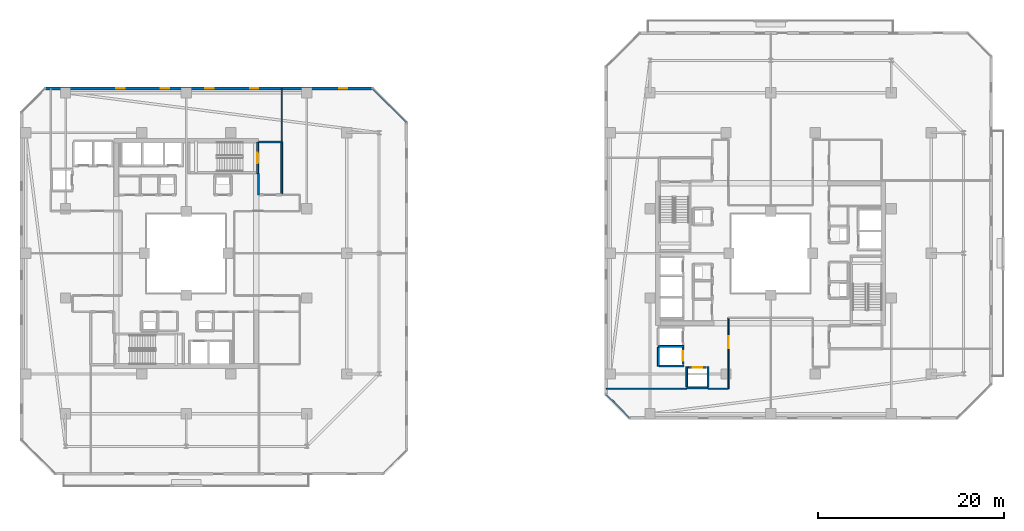
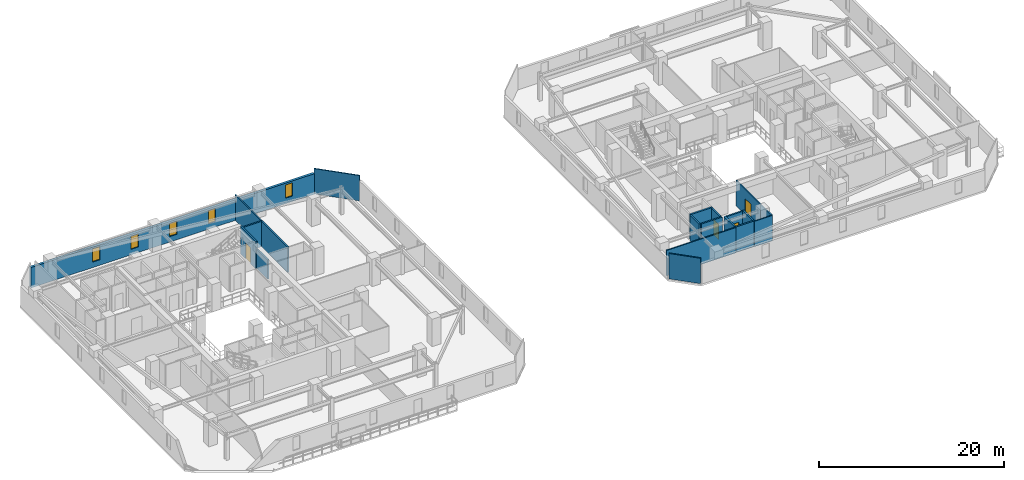
# One storey, part 22 of 32: 20 walls, 5 windows, 4 doors, 9 openings.
"""IFC4 building model written with IfcOpenShell, lengths in metres."""

from ifc_helpers import new_model, si_unit, direction, frame, frame_2d, origin, place, context, subcontext, project, spatial, rectangle, extrude, material, layer, layer_set, type_object, element, fill, save


model = new_model("IFC4")

# Units and contexts
model_context = context("Model", 3, precision=1e-05, world=origin(), true_north=direction((0.0, 1.0)))
body_context = subcontext(model_context, "Body", "Model", "MODEL_VIEW")
ifc_project = project(units=[si_unit("LENGTHUNIT", "METRE"), si_unit("AREAUNIT", "SQUARE_METRE"), si_unit("VOLUMEUNIT", "CUBIC_METRE"), si_unit("PLANEANGLEUNIT", "RADIAN"), si_unit("MASSUNIT", "GRAM", prefix="KILO")], contexts=[model_context])

# Site, building, storey
site_placement = place(None, origin())
site = spatial("IfcSite", under=ifc_project, at=site_placement, CompositionType="ELEMENT")
building_placement = place(site_placement, origin())
building = spatial("IfcBuilding", under=site, at=building_placement, Name="Thornwick Lancets Civic Towers", CompositionType="ELEMENT")
storey_placement = place(building_placement, frame((0.0, 0.0, 156.300048828125)))
storey = spatial("IfcBuildingStorey", under=building, at=storey_placement, Name="L41", CompositionType="ELEMENT", Elevation=156.300048828125)

# Wall, opening, door
ifc_material_1 = material(Name="Concrete blockwork C40/50", Category="masonry")
ifc_layer_1 = layer(ifc_material_1, 0.199951171875, Name="Concrete blockwork C40/50")
ifc_layer_set_1 = layer_set([ifc_layer_1], Name="Concrete blockwork C40/50")
wall_type_1 = type_object("IfcWallType", Name="WALL_COMP_200", PredefinedType="STANDARD", material=ifc_layer_set_1)
wall_1_placement = place(storey_placement, frame((79.050048828125, 15.030029296875, 0.0), z_axis=(0.0, 0.0, 1.0), x_axis=(0.0, 1.0, 0.0)))
wall_1 = element("IfcWall", 1, at=wall_1_placement, inside=storey, type_object=wall_type_1, Name="L41 Hoistway Front Wall PL-BM2", PredefinedType="STANDARD", context=body_context, shape_type="SweptSolid", body=[
    extrude(rectangle(XDim=1.7900390625, YDim=0.199951171875, at=frame_2d((0.89501953125, 0.0))), origin(), (0.0, 0.0, 1.0), 3.33984375),
])
opening_1_placement = place(wall_1_placement, frame((0.385009765625, 0.0, 0.0)))
opening_1 = element("IfcOpeningElement", 2, at=opening_1_placement, cuts=wall_1, Name="Opening LD-PL-BM2", PredefinedType="OPENING", context=body_context, shape_type="SweptSolid", body=[
    extrude(rectangle(XDim=1.02001953125, YDim=2.06005859375, at=frame_2d((0.510009765625, 1.030029296875))), frame((0.0, 0.10986328125, 0.0), z_axis=(0.0, -1.0, 0.0), x_axis=(1.0, 0.0, 0.0)), (0.0, 0.0, 1.0), 0.219970703125),
])
ifc_material_2 = material(Name="Brushed bronze stainless steel", Category="steel")
door_type_1 = type_object("IfcDoorType", Name="DOOR_LIFT_SLIDE", OperationType="SLIDING_TO_LEFT", PredefinedType="DOOR", material=ifc_material_2)
door_1_placement = place(opening_1_placement, origin())
door_1 = element("IfcDoor", 3, at=door_1_placement, inside=storey, type_object=door_type_1, Name="L41 Sliding Lift Landing Door LD-PL-BM2", OperationType="SLIDING_TO_LEFT", OverallHeight=2.06005859375, OverallWidth=1.02001953125, PredefinedType="DOOR", context=body_context, shape_type="SweptSolid", body=[
    extrude(rectangle(XDim=1.02001953125, YDim=2.06005859375, at=frame_2d((0.510009765625, 1.030029296875))), frame((0.0, 0.02490234375, 0.0), z_axis=(0.0, -1.0, 0.0), x_axis=(1.0, 0.0, 0.0)), (0.0, 0.0, 1.0), 0.050048828125),
])
fill(opening_1, door_1)

wall_2_placement = place(storey_placement, frame((79.6298828125, 14.699951171875, 0.0), z_axis=(0.0, 0.0, 1.0), x_axis=(1.0, 0.0, 0.0)))
wall_2 = element("IfcWall", 4, at=wall_2_placement, inside=storey, type_object=wall_type_1, Name="L41 Hoistway Front Wall PL-BM3", PredefinedType="STANDARD", context=body_context, shape_type="SweptSolid", body=[
    extrude(rectangle(XDim=1.940185546875, YDim=0.199951171875, at=frame_2d((0.97021484375, 0.0))), origin(), (0.0, 0.0, 1.0), 3.33984375),
])
opening_2_placement = place(wall_2_placement, frame((0.4599609375, 0.0, 0.0)))
opening_2 = element("IfcOpeningElement", 5, at=opening_2_placement, cuts=wall_2, Name="Opening LD-PL-BM3", PredefinedType="OPENING", context=body_context, shape_type="SweptSolid", body=[
    extrude(rectangle(XDim=1.02001953125, YDim=2.06005859375, at=frame_2d((0.510009765625, 1.030029296875))), frame((0.0, 0.10986328125, 0.0), z_axis=(0.0, -1.0, 0.0), x_axis=(1.0, 0.0, 0.0)), (0.0, 0.0, 1.0), 0.219970703125),
])
door_2_placement = place(opening_2_placement, origin())
door_2 = element("IfcDoor", 6, at=door_2_placement, inside=storey, type_object=door_type_1, Name="L41 Sliding Lift Landing Door LD-PL-BM3", OperationType="SLIDING_TO_LEFT", OverallHeight=2.06005859375, OverallWidth=1.02001953125, PredefinedType="DOOR", context=body_context, shape_type="SweptSolid", body=[
    extrude(rectangle(XDim=1.02001953125, YDim=2.06005859375, at=frame_2d((0.510009765625, 1.030029296875))), frame((0.0, 0.02490234375, 0.0), z_axis=(0.0, -1.0, 0.0), x_axis=(1.0, 0.0, 0.0)), (0.0, 0.0, 1.0), 0.050048828125),
])
fill(opening_2, door_2)

# Walls
wall_3_placement = place(storey_placement, frame((76.402099609375, 16.97509765625, 0.0), z_axis=(0.0, 0.0, 1.0), x_axis=(1.0, 0.0, 0.0)))
element("IfcWall", 7, at=wall_3_placement, inside=storey, type_object=wall_type_1, Name="L41 Hoistway Shaft Wall PL-BM1 S", PredefinedType="STANDARD", context=body_context, shape_type="SweptSolid", body=[
    extrude(rectangle(XDim=2.745849609375, YDim=0.199951171875, at=frame_2d((1.373046875, 0.0))), origin(), (0.0, 0.0, 1.0), 3.33984375),
])
wall_4_placement = place(storey_placement, frame((76.39990234375, 14.85205078125, 0.0), z_axis=(0.0, 0.0, 1.0), x_axis=(0.0, 1.0, 0.0)))
element("IfcWall", 8, at=wall_4_placement, inside=storey, type_object=wall_type_1, Name="L41 Hoistway Shaft Wall PL-BM1 W", PredefinedType="STANDARD", context=body_context, shape_type="SweptSolid", body=[
    extrude(rectangle(XDim=2.015869140625, YDim=0.199951171875, at=frame_2d((1.0078125, 0.0))), origin(), (0.0, 0.0, 1.0), 3.33984375),
])
wall_5_placement = place(storey_placement, frame((76.511962890625, 14.85009765625, 0.0), z_axis=(0.0, 0.0, 1.0), x_axis=(1.0, 0.0, 0.0)))
element("IfcWall", 9, at=wall_5_placement, inside=storey, type_object=wall_type_1, Name="L41 Hoistway Shaft Wall PL-BM2 S", PredefinedType="STANDARD", context=body_context, shape_type="SweptSolid", body=[
    extrude(rectangle(XDim=2.635986328125, YDim=0.199951171875, at=frame_2d((1.31787109375, 0.0))), origin(), (0.0, 0.0, 1.0), 3.33984375),
])
wall_6_placement = place(storey_placement, frame((79.451904296875, 12.5, 0.0), z_axis=(0.0, 0.0, 1.0), x_axis=(1.0, 0.0, 0.0)))
element("IfcWall", 10, at=wall_6_placement, inside=storey, type_object=wall_type_1, Name="L41 Hoistway Shaft Wall PL-BM3 S", PredefinedType="STANDARD", context=body_context, shape_type="SweptSolid", body=[
    extrude(rectangle(XDim=2.296142578125, YDim=0.199951171875, at=frame_2d((1.14794921875, 0.0))), origin(), (0.0, 0.0, 1.0), 3.33984375),
])
for number, where, z_axis, x_axis, name in (
    (11, (81.75, 12.612060546875, 0.0), (0.0, 0.0, 1.0), (0.0, 1.0, 0.0), "L41 Hoistway Shaft Wall PL-BM3 E"),
    (12, (79.449951171875, 12.612060546875, 0.0), (0.0, 0.0, 1.0), (0.0, 1.0, 0.0), "L41 Hoistway Shaft Wall PL-BM3 W"),
):
    element("IfcWall", number, at=place(storey_placement, frame(where, z_axis=z_axis, x_axis=x_axis)), inside=storey, type_object=wall_type_1, Name=name, PredefinedType="STANDARD", context=body_context, shape_type="SweptSolid", body=[
        extrude(rectangle(XDim=2.18603515625, YDim=0.199951171875, at=frame_2d((1.093017578125, 0.0))), origin(), (0.0, 0.0, 1.0), 3.33984375),
    ])
wall_7_placement = place(storey_placement, frame((35.800048828125, 33.300048828125, 0.0), z_axis=(0.0, 0.0, 1.0), x_axis=(0.0, 1.0, 0.0)))
element("IfcWall", 13, at=wall_7_placement, inside=storey, type_object=wall_type_1, Name="L41 Partition L41-A-FFLOB2 E2", PredefinedType="STANDARD", context=body_context, shape_type="SweptSolid", body=[
    extrude(rectangle(XDim=5.699951171875, YDim=0.199951171875, at=frame_2d((2.85009765625, 0.0))), origin(), (0.0, 0.0, 1.0), 3.33984375),
])
wall_8_placement = place(storey_placement, frame((35.800048828125, 39.0, 0.0), z_axis=(0.0, 0.0, 1.0), x_axis=(-1.0, 0.0, 0.0)))
element("IfcWall", 14, at=wall_8_placement, inside=storey, type_object=wall_type_1, Name="L41 Partition L41-A-FFLOB2 E3", PredefinedType="STANDARD", context=body_context, shape_type="SweptSolid", body=[
    extrude(rectangle(XDim=2.5, YDim=0.199951171875, at=frame_2d((1.25, 0.0))), origin(), (0.0, 0.0, 1.0), 3.33984375),
])
wall_9_placement = place(storey_placement, frame((33.300048828125, 35.60009765625, 0.0), z_axis=(0.0, 0.0, 1.0), x_axis=(0.0, -1.0, 0.0)))
element("IfcWall", 15, at=wall_9_placement, inside=storey, type_object=wall_type_1, Name="L41 Partition L41-A-FFLOB2 E4", PredefinedType="STANDARD", context=body_context, shape_type="SweptSolid", body=[
    extrude(rectangle(XDim=2.300048828125, YDim=0.199951171875, at=frame_2d((1.14990234375, 0.0))), origin(), (0.0, 0.0, 1.0), 2.544921875),
])

# Wall, openings, windows
ifc_material_3 = material(Name="Insulated russet terracotta rainscreen on concrete C40/50", Category="masonry")
ifc_layer_2 = layer(ifc_material_3, 0.300048828125, Name="Insulated russet terracotta rainscreen on concrete C40/50")
ifc_layer_set_2 = layer_set([ifc_layer_2], Name="Insulated russet terracotta rainscreen on concrete C40/50")
wall_type_2 = type_object("IfcWallType", Name="WALL_EXT_RUSSET_300", PredefinedType="STANDARD", material=ifc_layer_set_2)
wall_10_placement = place(storey_placement, frame((45.57763671875, 44.760986328125, 0.0), z_axis=(0.0, 0.0, 1.0), x_axis=(-0.999999994606, 0.000103863011, 0.0)))
wall_10 = element("IfcWall", 16, at=wall_10_placement, inside=storey, type_object=wall_type_2, Name="L41 Tower A Terracotta Facade Wall E4", PredefinedType="STANDARD", context=body_context, shape_type="SweptSolid", body=[
    extrude(rectangle(XDim=35.259033203125, YDim=0.300048828125, at=frame_2d((17.62939453125, 0.0))), origin(), (0.0, 0.0, 1.0), 2.699951171875),
])
opening_3_placement = place(wall_10_placement, frame((2.699951171875, 0.0, 0.719970703125)))
opening_3 = element("IfcOpeningElement", 17, at=opening_3_placement, cuts=wall_10, Name="Opening WL-01", PredefinedType="OPENING", context=body_context, shape_type="SweptSolid", body=[
    extrude(rectangle(XDim=0.89990234375, YDim=1.75, at=frame_2d((0.449951171875, 0.875))), frame((0.0, 0.16015625, 0.0), z_axis=(0.0, -1.0, 0.0), x_axis=(1.0, 0.0, 0.0)), (0.0, 0.0, 1.0), 0.320068359375),
])
opening_4_placement = place(wall_10_placement, frame((12.300048828125, 0.0, 0.719970703125)))
opening_4 = element("IfcOpeningElement", 18, at=opening_4_placement, cuts=wall_10, Name="Opening WL-01", PredefinedType="OPENING", context=body_context, shape_type="SweptSolid", body=[
    extrude(rectangle(XDim=0.89990234375, YDim=1.75, at=frame_2d((0.449951171875, 0.875))), frame((0.0, 0.16015625, 0.0), z_axis=(0.0, -1.0, 0.0), x_axis=(1.0, 0.0, 0.0)), (0.0, 0.0, 1.0), 0.320068359375),
])
opening_5_placement = place(wall_10_placement, frame((17.10009765625, 0.0, 0.719970703125)))
opening_5 = element("IfcOpeningElement", 19, at=opening_5_placement, cuts=wall_10, Name="Opening WL-01", PredefinedType="OPENING", context=body_context, shape_type="SweptSolid", body=[
    extrude(rectangle(XDim=0.89990234375, YDim=1.75, at=frame_2d((0.449951171875, 0.875))), frame((0.0, 0.16015625, 0.0), z_axis=(0.0, -1.0, 0.0), x_axis=(1.0, 0.0, 0.0)), (0.0, 0.0, 1.0), 0.320068359375),
])
opening_6_placement = place(wall_10_placement, frame((21.89990234375, 0.0, 0.719970703125)))
opening_6 = element("IfcOpeningElement", 20, at=opening_6_placement, cuts=wall_10, Name="Opening WL-01", PredefinedType="OPENING", context=body_context, shape_type="SweptSolid", body=[
    extrude(rectangle(XDim=0.89990234375, YDim=1.75, at=frame_2d((0.449951171875, 0.875))), frame((0.0, 0.16015625, 0.0), z_axis=(0.0, -1.0, 0.0), x_axis=(1.0, 0.0, 0.0)), (0.0, 0.0, 1.0), 0.320068359375),
])
opening_7_placement = place(wall_10_placement, frame((26.699951171875, 0.0, 0.719970703125)))
opening_7 = element("IfcOpeningElement", 21, at=opening_7_placement, cuts=wall_10, Name="Opening WL-01", PredefinedType="OPENING", context=body_context, shape_type="SweptSolid", body=[
    extrude(rectangle(XDim=0.89990234375, YDim=1.75, at=frame_2d((0.449951171875, 0.875))), frame((0.0, 0.16015625, 0.0), z_axis=(0.0, -1.0, 0.0), x_axis=(1.0, 0.0, 0.0)), (0.0, 0.0, 1.0), 0.320068359375),
])
ifc_material_4 = material(Name="Clear low-e double glazing in bronze frame", Category="glass")
window_type = type_object("IfcWindowType", Name="WIN_LANCET_900", PartitioningType="SINGLE_PANEL", PredefinedType="WINDOW", material=ifc_material_4)
window_1_placement = place(opening_3_placement, origin())
window_1 = element("IfcWindow", 22, at=window_1_placement, inside=storey, type_object=window_type, Name="L41 Tower A Staggered Lancet Window E4-1", OverallHeight=1.75, OverallWidth=0.89990234375, PartitioningType="SINGLE_PANEL", PredefinedType="WINDOW", context=body_context, shape_type="SweptSolid", body=[
    extrude(rectangle(XDim=0.89990234375, YDim=1.75, at=frame_2d((0.449951171875, 0.875))), frame((0.0, 0.030029296875, 0.0), z_axis=(0.0, -1.0, 0.0), x_axis=(1.0, 0.0, 0.0)), (0.0, 0.0, 1.0), 0.06005859375),
])
fill(opening_3, window_1)
window_2_placement = place(opening_4_placement, origin())
window_2 = element("IfcWindow", 23, at=window_2_placement, inside=storey, type_object=window_type, Name="L41 Tower A Staggered Lancet Window E4-2", OverallHeight=1.75, OverallWidth=0.89990234375, PartitioningType="SINGLE_PANEL", PredefinedType="WINDOW", context=body_context, shape_type="SweptSolid", body=[
    extrude(rectangle(XDim=0.89990234375, YDim=1.75, at=frame_2d((0.449951171875, 0.875))), frame((0.0, 0.030029296875, 0.0), z_axis=(0.0, -1.0, 0.0), x_axis=(1.0, 0.0, 0.0)), (0.0, 0.0, 1.0), 0.06005859375),
])
fill(opening_4, window_2)
window_3_placement = place(opening_5_placement, origin())
window_3 = element("IfcWindow", 24, at=window_3_placement, inside=storey, type_object=window_type, Name="L41 Tower A Staggered Lancet Window E4-3", OverallHeight=1.75, OverallWidth=0.89990234375, PartitioningType="SINGLE_PANEL", PredefinedType="WINDOW", context=body_context, shape_type="SweptSolid", body=[
    extrude(rectangle(XDim=0.89990234375, YDim=1.75, at=frame_2d((0.449951171875, 0.875))), frame((0.0, 0.030029296875, 0.0), z_axis=(0.0, -1.0, 0.0), x_axis=(1.0, 0.0, 0.0)), (0.0, 0.0, 1.0), 0.06005859375),
])
fill(opening_5, window_3)
window_4_placement = place(opening_6_placement, origin())
window_4 = element("IfcWindow", 25, at=window_4_placement, inside=storey, type_object=window_type, Name="L41 Tower A Staggered Lancet Window E4-4", OverallHeight=1.75, OverallWidth=0.89990234375, PartitioningType="SINGLE_PANEL", PredefinedType="WINDOW", context=body_context, shape_type="SweptSolid", body=[
    extrude(rectangle(XDim=0.89990234375, YDim=1.75, at=frame_2d((0.449951171875, 0.875))), frame((0.0, 0.030029296875, 0.0), z_axis=(0.0, -1.0, 0.0), x_axis=(1.0, 0.0, 0.0)), (0.0, 0.0, 1.0), 0.06005859375),
])
fill(opening_6, window_4)
window_5_placement = place(opening_7_placement, origin())
window_5 = element("IfcWindow", 26, at=window_5_placement, inside=storey, type_object=window_type, Name="L41 Tower A Staggered Lancet Window E4-5", OverallHeight=1.75, OverallWidth=0.89990234375, PartitioningType="SINGLE_PANEL", PredefinedType="WINDOW", context=body_context, shape_type="SweptSolid", body=[
    extrude(rectangle(XDim=0.89990234375, YDim=1.75, at=frame_2d((0.449951171875, 0.875))), frame((0.0, 0.030029296875, 0.0), z_axis=(0.0, -1.0, 0.0), x_axis=(1.0, 0.0, 0.0)), (0.0, 0.0, 1.0), 0.06005859375),
])
fill(opening_7, window_5)

# Walls
ifc_material_5 = material(Name="Acoustic gypsum board partition")
ifc_layer_3 = layer(ifc_material_5, 0.1201171875, Name="Acoustic gypsum board partition")
ifc_layer_set_3 = layer_set([ifc_layer_3], Name="Acoustic gypsum board partition")
wall_type_3 = type_object("IfcWallType", Name="WALL_PART_120", PredefinedType="PARTITIONING", material=ifc_layer_set_3)
wall_11_placement = place(storey_placement, frame((35.800048828125, 39.0, 0.0), z_axis=(0.0, 0.0, 1.0), x_axis=(0.0, 1.0, 0.0)))
element("IfcWall", 27, at=wall_11_placement, inside=storey, type_object=wall_type_3, Name="L41 Partition L41-A-E3 E6", PredefinedType="PARTITIONING", context=body_context, shape_type="SweptSolid", body=[
    extrude(rectangle(XDim=5.719970703125, YDim=0.1201171875, at=frame_2d((2.85986328125, 0.0))), origin(), (0.0, 0.0, 1.0), 3.33984375),
])
wall_12_placement = place(storey_placement, frame((45.617431640625, 44.719970703125, 0.0), z_axis=(0.0, 0.0, 1.0), x_axis=(0.707106781187, -0.707106781187, 0.0)))
element("IfcWall", 28, at=wall_12_placement, inside=storey, type_object=wall_type_3, Name="L41 Partition L41-A-E3 E8", PredefinedType="PARTITIONING", context=body_context, shape_type="SweptSolid", body=[
    extrude(rectangle(XDim=5.0947265625, YDim=0.1201171875, at=frame_2d((2.54736328125, 0.0))), origin(), (0.0, 0.0, 1.0), 3.33984375),
])

# Wall, opening, door
ifc_material_6 = material(Name="Twin-stud acoustic gypsum board")
ifc_layer_4 = layer(ifc_material_6, 0.14990234375, Name="Twin-stud acoustic gypsum board")
ifc_layer_set_4 = layer_set([ifc_layer_4], Name="Twin-stud acoustic gypsum board")
wall_type_4 = type_object("IfcWallType", Name="WALL_PART_150", PredefinedType="PARTITIONING", material=ifc_layer_set_4)
wall_13_placement = place(storey_placement, frame((83.949951171875, 14.75, 0.0), z_axis=(0.0, 0.0, 1.0), x_axis=(0.0, 1.0, 0.0)))
wall_13 = element("IfcWall", 29, at=wall_13_placement, inside=storey, type_object=wall_type_4, Name="L41 Partition L41-B-W2 E1", PredefinedType="PARTITIONING", context=body_context, shape_type="SweptSolid", body=[
    extrude(rectangle(XDim=5.300048828125, YDim=0.14990234375, at=frame_2d((2.64990234375, 0.0))), origin(), (0.0, 0.0, 1.0), 3.33984375),
])
opening_8_placement = place(wall_13_placement, frame((2.0, 0.0, 0.0)))
opening_8 = element("IfcOpeningElement", 30, at=opening_8_placement, cuts=wall_13, Name="Opening D-L41-1858", PredefinedType="OPENING", context=body_context, shape_type="SweptSolid", body=[
    extrude(rectangle(XDim=1.300048828125, YDim=2.1201171875, at=frame_2d((0.64990234375, 1.06005859375))), frame((0.0, 0.0849609375, 0.0), z_axis=(0.0, -1.0, 0.0), x_axis=(1.0, 0.0, 0.0)), (0.0, 0.0, 1.0), 0.169921875),
])
ifc_material_7 = material(Name="Acoustic oak leaf-and-a-half doorset")
door_type_2 = type_object("IfcDoorType", Name="DOOR_MEET_1300", OperationType="DOUBLE_DOOR_SINGLE_SWING", PredefinedType="DOOR", material=ifc_material_7)
door_3_placement = place(opening_8_placement, origin())
door_3 = element("IfcDoor", 31, at=door_3_placement, inside=storey, type_object=door_type_2, Name="L41 Tower B Policy Briefing Room W2 Door", OperationType="DOUBLE_DOOR_SINGLE_SWING", OverallHeight=2.1201171875, OverallWidth=1.300048828125, PredefinedType="DOOR", context=body_context, shape_type="SweptSolid", body=[
    extrude(rectangle(XDim=1.300048828125, YDim=2.1201171875, at=frame_2d((0.64990234375, 1.06005859375))), frame((0.0, 0.02490234375, 0.0), z_axis=(0.0, -1.0, 0.0), x_axis=(1.0, 0.0, 0.0)), (0.0, 0.0, 1.0), 0.050048828125),
])
fill(opening_8, door_3)

# Walls
wall_14_placement = place(storey_placement, frame((73.274658203125, 9.280029296875, 0.0), z_axis=(0.0, 0.0, 1.0), x_axis=(-0.707106781187, 0.707106781187, 0.0)))
element("IfcWall", 32, at=wall_14_placement, inside=storey, type_object=wall_type_4, Name="L41 Partition L41-B-W2 E5", PredefinedType="PARTITIONING", context=body_context, shape_type="SweptSolid", body=[
    extrude(rectangle(XDim=3.52783203125, YDim=0.14990234375, at=frame_2d((1.763916015625, 0.0))), origin(), (0.0, 0.0, 1.0), 3.33984375),
])
wall_15_placement = place(storey_placement, frame((70.780029296875, 12.39990234375, 0.0), z_axis=(0.0, 0.0, 1.0), x_axis=(1.0, 0.0, 0.0)))
element("IfcWall", 33, at=wall_15_placement, inside=storey, type_object=wall_type_4, Name="L41 Partition L41-B-W2 E7", PredefinedType="PARTITIONING", context=body_context, shape_type="SweptSolid", body=[
    extrude(rectangle(XDim=8.671875, YDim=0.14990234375, at=frame_2d((4.3359375, 0.0))), origin(), (0.0, 0.0, 1.0), 3.33984375),
])
wall_16_placement = place(storey_placement, frame((81.748046875, 12.39990234375, 0.0), z_axis=(0.0, 0.0, 1.0), x_axis=(1.0, 0.0, 0.0)))
element("IfcWall", 34, at=wall_16_placement, inside=storey, type_object=wall_type_4, Name="L41 Partition L41-B-W2 E7", PredefinedType="PARTITIONING", context=body_context, shape_type="SweptSolid", body=[
    extrude(rectangle(XDim=2.201904296875, YDim=0.14990234375, at=frame_2d((1.10107421875, 0.0))), origin(), (0.0, 0.0, 1.0), 3.33984375),
])
wall_17_placement = place(storey_placement, frame((83.949951171875, 12.39990234375, 0.0), z_axis=(0.0, 0.0, 1.0), x_axis=(0.0, 1.0, 0.0)))
element("IfcWall", 35, at=wall_17_placement, inside=storey, type_object=wall_type_4, Name="L41 Partition L41-B-W2 E8", PredefinedType="PARTITIONING", context=body_context, shape_type="SweptSolid", body=[
    extrude(rectangle(XDim=2.35009765625, YDim=0.14990234375, at=frame_2d((1.175048828125, 0.0))), origin(), (0.0, 0.0, 1.0), 3.33984375),
])

# Wall, opening, door
ifc_material_8 = material(Name="Concrete C40/50", Category="concrete")
ifc_layer_5 = layer(ifc_material_8, 0.199951171875, Name="Concrete C40/50")
ifc_layer_set_5 = layer_set([ifc_layer_5], Name="Concrete C40/50")
wall_type_5 = type_object("IfcWallType", Name="WALL_SHAFT_200", PredefinedType="SHEAR", material=ifc_layer_set_5)
wall_18_placement = place(storey_placement, frame((33.199951171875, 38.949951171875, 0.0), z_axis=(0.0, 0.0, 1.0), x_axis=(0.0, -1.0, 0.0)))
wall_18 = element("IfcWall", 36, at=wall_18_placement, inside=storey, type_object=wall_type_5, Name="L41 ST-A2 Fire Stair Core Wall NEAR", PredefinedType="SHEAR", context=body_context, shape_type="SweptSolid", body=[
    extrude(rectangle(XDim=3.349853515625, YDim=0.199951171875, at=frame_2d((1.6748046875, 0.0))), origin(), (0.0, 0.0, 1.0), 3.599853515625),
])
opening_9_placement = place(wall_18_placement, frame((1.125, 0.0, 0.0)))
opening_9 = element("IfcOpeningElement", 37, at=opening_9_placement, cuts=wall_18, Name="Opening D-ST-A2-L41", PredefinedType="OPENING", context=body_context, shape_type="SweptSolid", body=[
    extrude(rectangle(XDim=1.10009765625, YDim=2.10009765625, at=frame_2d((0.550048828125, 1.050048828125))), frame((0.0, 0.10986328125, 0.0), z_axis=(0.0, -1.0, 0.0), x_axis=(1.0, 0.0, 0.0)), (0.0, 0.0, 1.0), 0.219970703125),
])
ifc_material_9 = material(Name="Fire-resisting steel and hardwood", Category="steel")
door_type_3 = type_object("IfcDoorType", Name="DOOR_STAIR_FD60", OperationType="NOTDEFINED", PredefinedType="DOOR", material=ifc_material_9)
door_4_placement = place(opening_9_placement, origin())
door_4 = element("IfcDoor", 38, at=door_4_placement, inside=storey, type_object=door_type_3, Name="L41 ST-A2 Exit Stair Door", OperationType="SINGLE_SWING_LEFT", OverallHeight=2.10009765625, OverallWidth=1.10009765625, PredefinedType="DOOR", context=body_context, shape_type="SweptSolid", body=[
    extrude(rectangle(XDim=1.10009765625, YDim=2.10009765625, at=frame_2d((0.550048828125, 1.050048828125))), frame((0.0, 0.02490234375, 0.0), z_axis=(0.0, -1.0, 0.0), x_axis=(1.0, 0.0, 0.0)), (0.0, 0.0, 1.0), 0.050048828125),
])
fill(opening_9, door_4)

save(model, "model.ifc")
